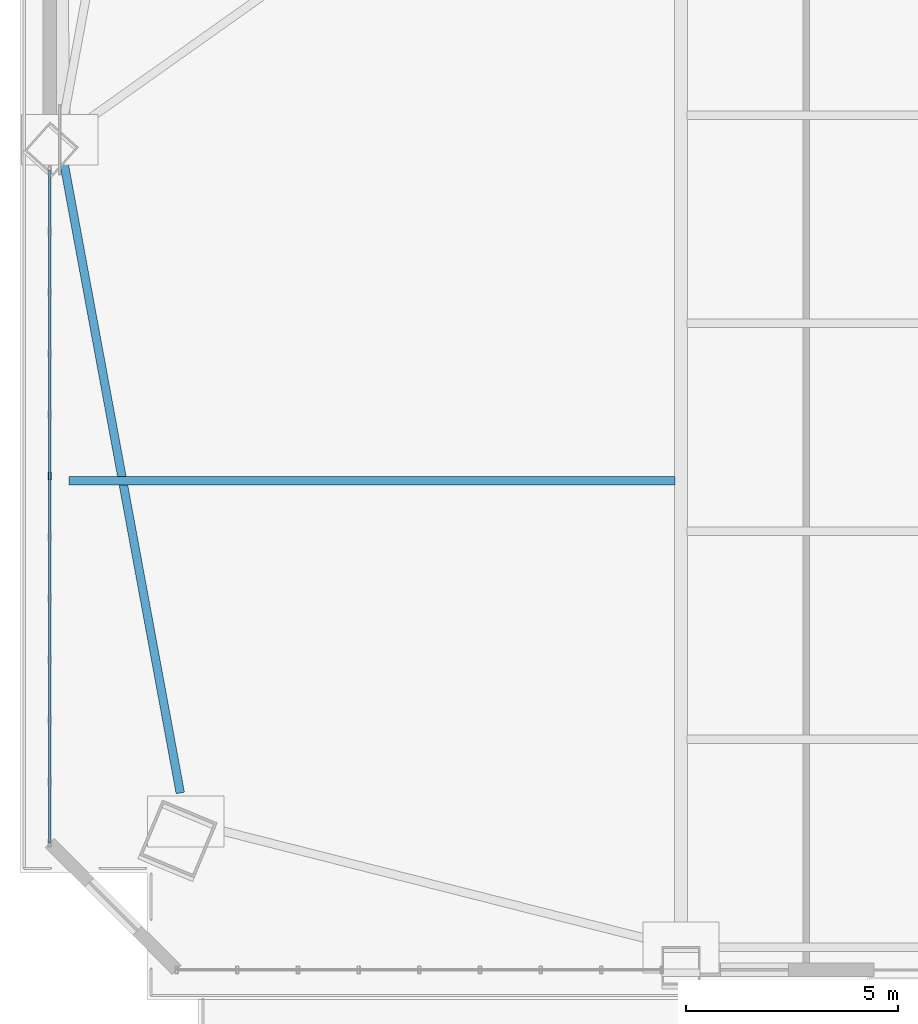
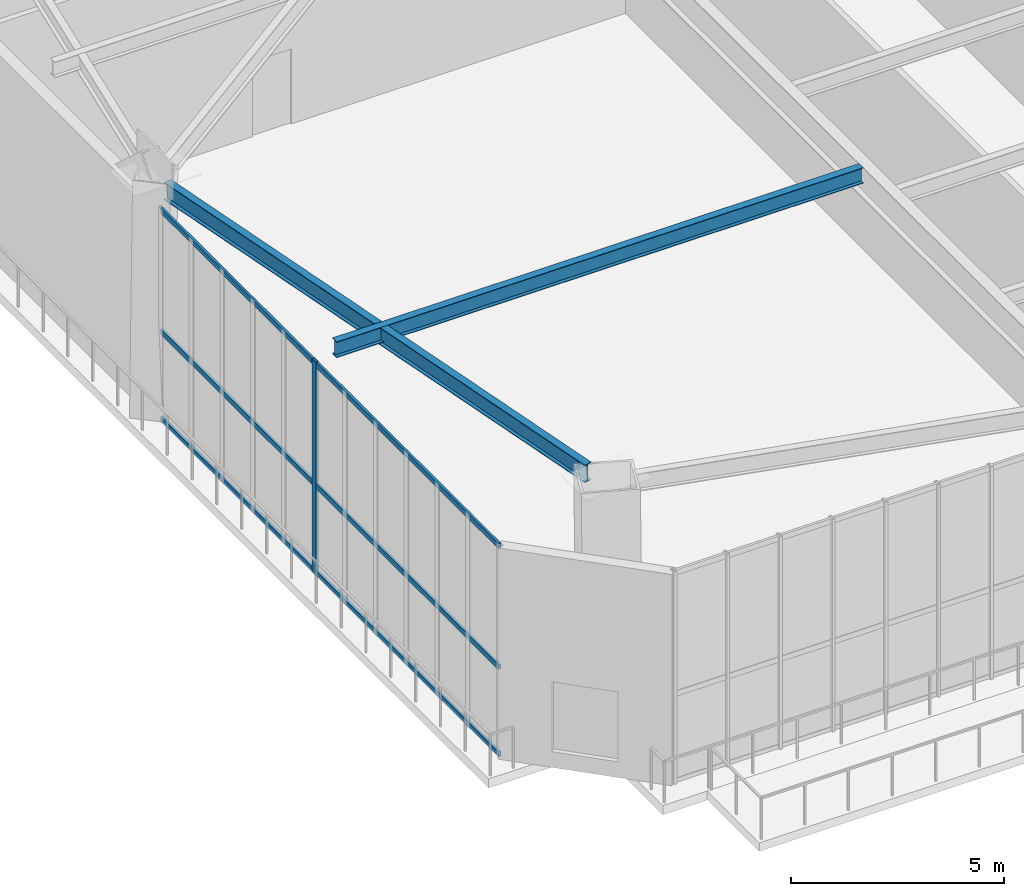
# One storey, part 3 of 22: 4 members, 2 beams, 1 element without a shape of its own.
"""IFC4 building model written with IfcOpenShell, lengths in metres."""

from ifc_helpers import new_model, si_unit, direction, frame, origin, origin_2d, place, context, subcontext, project, spatial, hollow_rectangle, i_section, extrude, source, transform, mapped, material, layer, layer_set, material_profile, profile_set, type_object, element, aggregate, save


model = new_model("IFC4")

# Units and contexts
model_context = context("Model", 3, precision=1e-05, world=origin(), true_north=direction((0.0, 1.0)))
body_context = subcontext(model_context, "Body", "Model", "MODEL_VIEW")
ifc_project = project(units=[si_unit("LENGTHUNIT", "METRE"), si_unit("AREAUNIT", "SQUARE_METRE"), si_unit("VOLUMEUNIT", "CUBIC_METRE"), si_unit("PLANEANGLEUNIT", "RADIAN"), si_unit("MASSUNIT", "GRAM", prefix="KILO")], contexts=[model_context])

# Site, building, storey
site_placement = place(None, origin())
site = spatial("IfcSite", under=ifc_project, at=site_placement, CompositionType="ELEMENT")
building_placement = place(site_placement, origin())
building = spatial("IfcBuilding", under=site, at=building_placement, Name="Giltprow Tower", CompositionType="ELEMENT")
storey_placement = place(building_placement, frame((0.0, 0.0, 130.89990234375)))
storey = spatial("IfcBuildingStorey", under=building, at=storey_placement, Name="L32", CompositionType="ELEMENT", Elevation=130.89990234375)

# Beams
ifc_material_1 = material(Name="Structural steel Q355B", Category="steel")
ifc_material_profile_1 = material_profile(ifc_material_1, i_section(OverallWidth=0.199951171875, OverallDepth=0.5, WebThickness=0.010009765625, FlangeThickness=0.01611328125, at=origin_2d()), Name="HN 500x200x10x16")
ifc_profile_set_1 = profile_set([ifc_material_profile_1], Name="Structural steel Q355B")
beam_type_1 = type_object("IfcBeamType", Name="BM-SPAN-HN500", PredefinedType="SPANDREL", material=ifc_profile_set_1)
shared_shape_1 = source(origin(), body_context, "Body", "SweptSolid", [
    extrude(i_section(OverallWidth=0.199951171875, OverallDepth=0.5, WebThickness=0.010009765625, FlangeThickness=0.01611328125, at=origin_2d()), origin(), (0.0, 0.0, 1.0), 15.212890625),
])
beam_1_placement = place(storey_placement, frame((5.29296875, 26.64404296875, 6.320068359375), z_axis=(0.181555358549, -0.983380725753, 0.0), x_axis=(0.983380725753, 0.181555358549, 0.0)))
element("IfcBeam", 1, at=beam_1_placement, inside=storey, type_object=beam_type_1, Name="L32 Perimeter Spandrel Beam W_MID-MC_SW", PredefinedType="SPANDREL", context=body_context, shape_type="MappedRepresentation", body=[
    mapped(shared_shape_1, transform((0.0, 0.0, 0.0), x_axis=(1.0, 0.0, 0.0), y_axis=(0.0, 1.0, 0.0), z_axis=(0.0, 0.0, 1.0), scale=1.0)),
])
ifc_material_profile_2 = material_profile(ifc_material_1, i_section(OverallWidth=0.199951171875, OverallDepth=0.449951171875, WebThickness=0.009033203125, FlangeThickness=0.013916015625, at=origin_2d()), Name="HN 450x200x9x14")
ifc_profile_set_2 = profile_set([ifc_material_profile_2], Name="Structural steel Q355B")
beam_type_2 = type_object("IfcBeamType", Name="BM-JOIST-HN450", PredefinedType="JOIST", material=ifc_profile_set_2)
shared_shape_2 = source(origin(), body_context, "Body", "SweptSolid", [
    extrude(i_section(OverallWidth=0.199951171875, OverallDepth=0.449951171875, WebThickness=0.009033203125, FlangeThickness=0.013916015625, at=origin_2d()), origin(), (0.0, 0.0, 1.0), 14.27099609375),
])
beam_2_placement = place(storey_placement, frame((5.43408203125, 19.041015625, 6.34521484375), z_axis=(1.0, 0.0, 0.0), x_axis=(0.0, 1.0, 0.0)))
element("IfcBeam", 2, at=beam_2_placement, inside=storey, type_object=beam_type_2, Name="L32 West Wing Floor Joist 1", PredefinedType="JOIST", context=body_context, shape_type="MappedRepresentation", body=[
    mapped(shared_shape_2, transform((0.0, 0.0, 0.0), x_axis=(1.0, 0.0, 0.0), y_axis=(0.0, 1.0, 0.0), z_axis=(0.0, 0.0, 1.0), scale=1.0)),
])

# Curtain wall, members
ifc_material_2 = material(Name="Anodized bronze", Category="metal")
ifc_layer = layer(ifc_material_2, 0.179931640625, Name="Anodized bronze")
ifc_layer_set = layer_set([ifc_layer], Name="Anodized bronze")
curtain_wall_type = type_object("IfcCurtainWallType", Name="CW-SKYGARDEN", PredefinedType="NOTDEFINED", material=ifc_layer_set)
curtain_wall_placement = place(storey_placement, origin())
curtain_wall = element("IfcCurtainWall", 3, at=curtain_wall_placement, inside=storey, type_object=curtain_wall_type, Name="L32 W Sky Garden Glazing", PredefinedType="NOTDEFINED")
ifc_material_profile_3 = material_profile(ifc_material_2, hollow_rectangle(XDim=0.074951171875, YDim=0.179931640625, WallThickness=0.008056640625, at=origin_2d()), Name="RHS 180x75x8")
ifc_profile_set_3 = profile_set([ifc_material_profile_3], Name="Anodized bronze")
member_type_1 = type_object("IfcMemberType", Name="CW-MULLION-180x75", PredefinedType="MULLION", material=ifc_profile_set_3)
shared_shape_3 = source(origin(), body_context, "Body", "SweptSolid", [
    extrude(hollow_rectangle(XDim=0.074951171875, YDim=0.179931640625, WallThickness=0.008056640625, at=origin_2d()), origin(), (0.0, 0.0, 1.0), 6.105224609375),
])
member_1_placement = place(storey_placement, frame((4.97900390625, 19.154052734375, -0.02001953125), z_axis=(0.0, 0.0, 1.0), x_axis=(1.0, 0.0, 0.0)))
member_1 = element("IfcMember", 4, at=member_1_placement, type_object=member_type_1, Name="L32 W Sky Garden Glazing Mullion 7", PredefinedType="MULLION", context=body_context, shape_type="MappedRepresentation", body=[
    mapped(shared_shape_3, transform((0.0, 0.0, 0.0), x_axis=(1.0, 0.0, 0.0), y_axis=(0.0, 1.0, 0.0), z_axis=(0.0, 0.0, 1.0), scale=1.0)),
])
ifc_material_profile_4 = material_profile(ifc_material_2, hollow_rectangle(XDim=0.06494140625, YDim=0.14990234375, WallThickness=0.006103515625, at=origin_2d()), Name="RHS 150x65x6")
ifc_profile_set_4 = profile_set([ifc_material_profile_4], Name="Anodized bronze")
member_type_2 = type_object("IfcMemberType", Name="CW-TRANSOM-150x65", PredefinedType="USERDEFINED", material=ifc_profile_set_4)
shared_shape_4 = source(origin(), body_context, "Body", "SweptSolid", [
    extrude(hollow_rectangle(XDim=0.06494140625, YDim=0.14990234375, WallThickness=0.006103515625, at=origin_2d()), origin(), (0.0, 0.0, 1.0), 15.849853515625),
])
member_2_placement = place(storey_placement, frame((4.97900390625, 10.509033203125, 0.0400390625), z_axis=(0.0, 1.0, 0.0), x_axis=(-1.0, 0.0, 0.0)))
member_2 = element("IfcMember", 5, at=member_2_placement, type_object=member_type_2, Name="L32 W Sky Garden Glazing Transom 1", ObjectType="TRANSOM", PredefinedType="USERDEFINED", context=body_context, shape_type="MappedRepresentation", body=[
    mapped(shared_shape_4, transform((0.0, 0.0, 0.0), x_axis=(1.0, 0.0, 0.0), y_axis=(0.0, 1.0, 0.0), z_axis=(0.0, 0.0, 1.0), scale=1.0)),
])
member_3_placement = place(storey_placement, frame((4.97900390625, 10.509033203125, 2.541015625), z_axis=(0.0, 1.0, 0.0), x_axis=(-1.0, 0.0, 0.0)))
member_3 = element("IfcMember", 6, at=member_3_placement, type_object=member_type_2, Name="L32 W Sky Garden Glazing Transom 2", ObjectType="TRANSOM", PredefinedType="USERDEFINED", context=body_context, shape_type="MappedRepresentation", body=[
    mapped(shared_shape_4, transform((0.0, 0.0, 0.0), x_axis=(1.0, 0.0, 0.0), y_axis=(0.0, 1.0, 0.0), z_axis=(0.0, 0.0, 1.0), scale=1.0)),
])
member_4_placement = place(storey_placement, frame((4.97900390625, 10.509033203125, 6.010009765625), z_axis=(0.0, 1.0, 0.0), x_axis=(-1.0, 0.0, 0.0)))
member_4 = element("IfcMember", 7, at=member_4_placement, type_object=member_type_2, Name="L32 W Sky Garden Glazing Transom 3", ObjectType="TRANSOM", PredefinedType="USERDEFINED", context=body_context, shape_type="MappedRepresentation", body=[
    mapped(shared_shape_4, transform((0.0, 0.0, 0.0), x_axis=(1.0, 0.0, 0.0), y_axis=(0.0, 1.0, 0.0), z_axis=(0.0, 0.0, 1.0), scale=1.0)),
])
aggregate(curtain_wall, [member_1, member_2, member_3, member_4])

save(model, "model.ifc")
